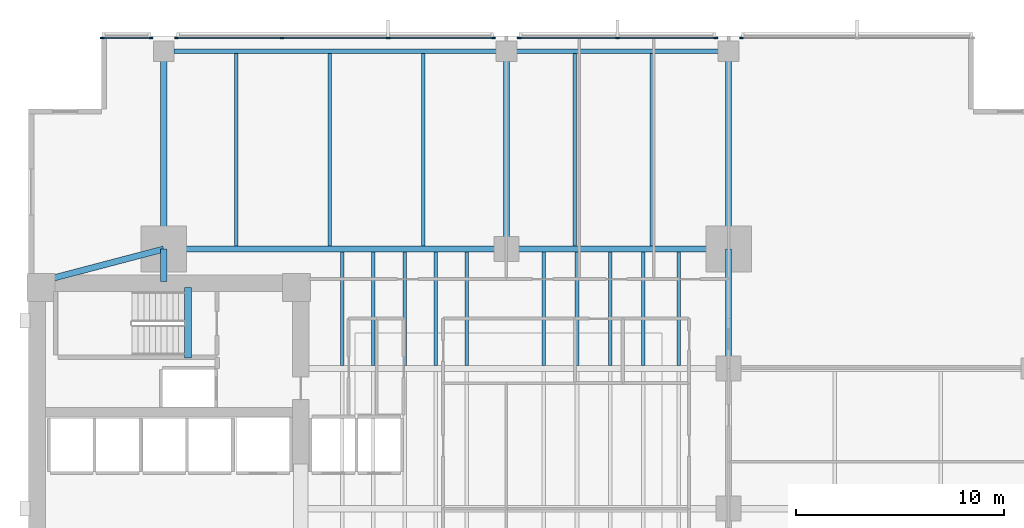
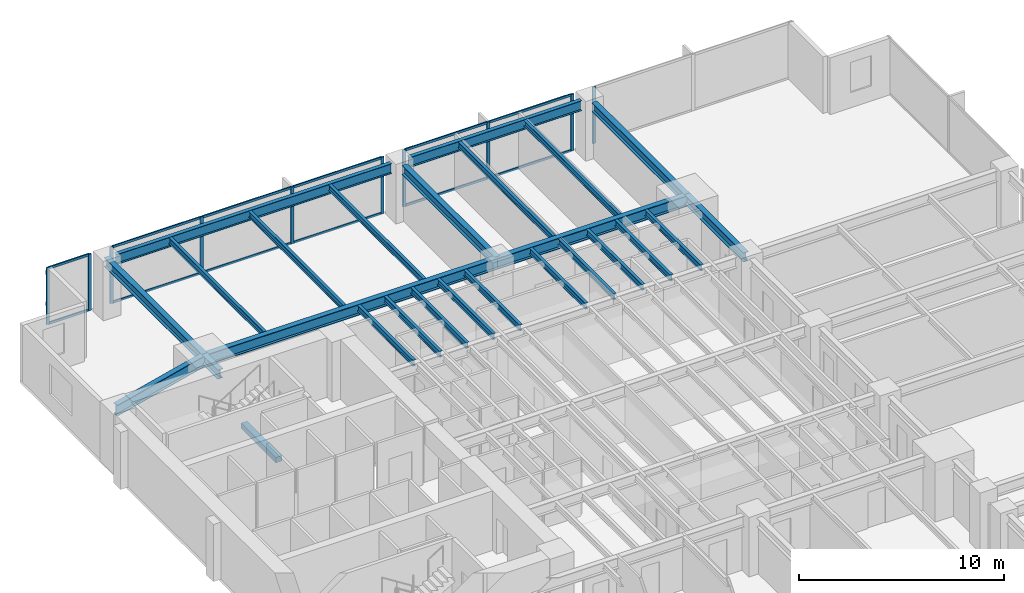
# One storey, part 5 of 15: 26 beams, 22 members, 4 elements without a shape of their own.
"""IFC4 building model written with IfcOpenShell, lengths in metres."""

from ifc_helpers import new_model, si_unit, direction, frame, origin, origin_2d, place, context, subcontext, project, spatial, rectangle, i_section, extrude, material, layer, layer_set, material_profile, profile_set, type_object, element, aggregate, save


model = new_model("IFC4")

# Units and contexts
model_context = context("Model", 3, precision=1e-05, world=origin(), true_north=direction((0.0, 1.0)))
body_context = subcontext(model_context, "Body", "Model", "MODEL_VIEW")
ifc_project = project(units=[si_unit("LENGTHUNIT", "METRE"), si_unit("AREAUNIT", "SQUARE_METRE"), si_unit("VOLUMEUNIT", "CUBIC_METRE"), si_unit("PLANEANGLEUNIT", "RADIAN"), si_unit("MASSUNIT", "GRAM", prefix="KILO")], contexts=[model_context])

# Site, building, storey
site_placement = place(None, origin())
site = spatial("IfcSite", under=ifc_project, at=site_placement, CompositionType="ELEMENT")
building_placement = place(site_placement, origin())
building = spatial("IfcBuilding", under=site, at=building_placement, Name="Kinhvarn Gate Tower", CompositionType="ELEMENT")
storey_placement = place(building_placement, frame((0.0, 0.0, 78.85009765625)))
storey = spatial("IfcBuildingStorey", under=building, at=storey_placement, Name="L20", CompositionType="ELEMENT", Elevation=78.85009765625)

# Beam
ifc_material_1 = material(Name="Concrete C50/60", Category="concrete")
ifc_material_profile_1 = material_profile(ifc_material_1, rectangle(XDim=0.340087890625, YDim=0.320068359375, at=origin_2d()), Name="RC 340x320")
ifc_profile_set_1 = profile_set([ifc_material_profile_1], Name="Concrete C50/60")
beam_type_1 = type_object("IfcBeamType", Name="BM-LND-500", PredefinedType="BEAM", material=ifc_profile_set_1)
beam_1_placement = place(storey_placement, frame((12.1650390625, 32.5, -0.16015625), z_axis=(0.0, 1.0, 0.0), x_axis=(-1.0, 0.0, 0.0)))
element("IfcBeam", 1, at=beam_1_placement, inside=storey, type_object=beam_type_1, Name="Stair ST2 Landing Nosing Beam (L20)", PredefinedType="BEAM", context=body_context, shape_type="SweptSolid", body=[
    extrude(rectangle(XDim=0.340087890625, YDim=0.320068359375, at=origin_2d()), origin(), (0.0, 0.0, 1.0), 3.39990234375),
])

# Curtain wall, member
ifc_material_2 = material(Name="Anodised aluminium AW-6063", Category="aluminium")
ifc_layer = layer(ifc_material_2, 0.179931640625)
ifc_layer_set = layer_set([ifc_layer], Name="Anodised aluminium AW-6063")
curtain_wall_type = type_object("IfcCurtainWallType", Name="CW-SYS-2", PredefinedType="NOTDEFINED", material=ifc_layer_set)
curtain_wall_1_placement = place(storey_placement, origin())
curtain_wall_1 = element("IfcCurtainWall", 2, at=curtain_wall_1_placement, inside=storey, type_object=curtain_wall_type, Name="Curtain Wall CW2 (L20)", PredefinedType="NOTDEFINED")
ifc_material_profile_2 = material_profile(ifc_material_2, rectangle(XDim=0.070068359375, YDim=0.179931640625, at=origin_2d()), Name="ALU 70x180")
ifc_profile_set_2 = profile_set([ifc_material_profile_2], Name="Anodised aluminium AW-6063")
member_type_1 = type_object("IfcMemberType", Name="CW-MUL-180", PredefinedType="MULLION", material=ifc_profile_set_2)
member_1_placement = place(storey_placement, frame((38.81494140625, 47.909912109375, 0.0), z_axis=(0.0, 0.0, 1.0), x_axis=(0.0, -1.0, 0.0)))
member_1 = element("IfcMember", 3, at=member_1_placement, type_object=member_type_1, Name="CW2 mullion 3", PredefinedType="MULLION", context=body_context, shape_type="SweptSolid", body=[
    extrude(rectangle(XDim=0.070068359375, YDim=0.179931640625, at=origin_2d()), origin(), (0.0, 0.0, 1.0), 3.369873046875),
])
aggregate(curtain_wall_1, [member_1])

# Curtain wall, members
curtain_wall_2_placement = place(storey_placement, origin())
curtain_wall_2 = element("IfcCurtainWall", 4, at=curtain_wall_2_placement, inside=storey, type_object=curtain_wall_type, Name="Curtain Wall CW2 (L20)", PredefinedType="NOTDEFINED")
member_2_placement = place(storey_placement, frame((37.5849609375, 47.909912109375, 0.0), z_axis=(0.0, 0.0, 1.0), x_axis=(0.0, -1.0, 0.0)))
member_2 = element("IfcMember", 5, at=member_2_placement, type_object=member_type_1, Name="CW2 mullion 1", PredefinedType="MULLION", context=body_context, shape_type="SweptSolid", body=[
    extrude(rectangle(XDim=0.070068359375, YDim=0.179931640625, at=origin_2d()), origin(), (0.0, 0.0, 1.0), 3.369873046875),
])
member_3_placement = place(storey_placement, frame((32.85009765625, 47.909912109375, 0.0), z_axis=(0.0, 0.0, 1.0), x_axis=(0.0, -1.0, 0.0)))
member_3 = element("IfcMember", 6, at=member_3_placement, type_object=member_type_1, Name="CW2 mullion 2", PredefinedType="MULLION", context=body_context, shape_type="SweptSolid", body=[
    extrude(rectangle(XDim=0.070068359375, YDim=0.179931640625, at=origin_2d()), origin(), (0.0, 0.0, 1.0), 3.369873046875),
])
member_4_placement = place(storey_placement, frame((28.114990234375, 47.909912109375, 0.0), z_axis=(0.0, 0.0, 1.0), x_axis=(0.0, -1.0, 0.0)))
member_4 = element("IfcMember", 7, at=member_4_placement, type_object=member_type_1, Name="CW2 mullion 3", PredefinedType="MULLION", context=body_context, shape_type="SweptSolid", body=[
    extrude(rectangle(XDim=0.070068359375, YDim=0.179931640625, at=origin_2d()), origin(), (0.0, 0.0, 1.0), 3.369873046875),
])

curtain_wall_3_placement = place(storey_placement, origin())
curtain_wall_3 = element("IfcCurtainWall", 8, at=curtain_wall_3_placement, inside=storey, type_object=curtain_wall_type, Name="Curtain Wall CW2 (L20)", PredefinedType="NOTDEFINED")
member_5_placement = place(storey_placement, frame((26.885009765625, 47.909912109375, 0.0), z_axis=(0.0, 0.0, 1.0), x_axis=(0.0, -1.0, 0.0)))
member_5 = element("IfcMember", 9, at=member_5_placement, type_object=member_type_1, Name="CW2 mullion 1", PredefinedType="MULLION", context=body_context, shape_type="SweptSolid", body=[
    extrude(rectangle(XDim=0.070068359375, YDim=0.179931640625, at=origin_2d()), origin(), (0.0, 0.0, 1.0), 3.369873046875),
])
member_6_placement = place(storey_placement, frame((21.806640625, 47.909912109375, 0.0), z_axis=(0.0, 0.0, 1.0), x_axis=(0.0, -1.0, 0.0)))
member_6 = element("IfcMember", 10, at=member_6_placement, type_object=member_type_1, Name="CW2 mullion 2", PredefinedType="MULLION", context=body_context, shape_type="SweptSolid", body=[
    extrude(rectangle(XDim=0.070068359375, YDim=0.179931640625, at=origin_2d()), origin(), (0.0, 0.0, 1.0), 3.369873046875),
])
member_7_placement = place(storey_placement, frame((16.693359375, 47.909912109375, 0.0), z_axis=(0.0, 0.0, 1.0), x_axis=(0.0, -1.0, 0.0)))
member_7 = element("IfcMember", 11, at=member_7_placement, type_object=member_type_1, Name="CW2 mullion 3", PredefinedType="MULLION", context=body_context, shape_type="SweptSolid", body=[
    extrude(rectangle(XDim=0.070068359375, YDim=0.179931640625, at=origin_2d()), origin(), (0.0, 0.0, 1.0), 3.369873046875),
])
member_8_placement = place(storey_placement, frame((11.614990234375, 47.909912109375, 0.0), z_axis=(0.0, 0.0, 1.0), x_axis=(0.0, -1.0, 0.0)))
member_8 = element("IfcMember", 12, at=member_8_placement, type_object=member_type_1, Name="CW2 mullion 4", PredefinedType="MULLION", context=body_context, shape_type="SweptSolid", body=[
    extrude(rectangle(XDim=0.070068359375, YDim=0.179931640625, at=origin_2d()), origin(), (0.0, 0.0, 1.0), 3.369873046875),
])

curtain_wall_4_placement = place(storey_placement, origin())
curtain_wall_4 = element("IfcCurtainWall", 13, at=curtain_wall_4_placement, inside=storey, type_object=curtain_wall_type, Name="Curtain Wall CW2 (L20)", PredefinedType="NOTDEFINED")
member_9_placement = place(storey_placement, frame((10.385009765625, 47.909912109375, 0.0), z_axis=(0.0, 0.0, 1.0), x_axis=(0.0, -1.0, 0.0)))
member_9 = element("IfcMember", 14, at=member_9_placement, type_object=member_type_1, Name="CW2 mullion 1", PredefinedType="MULLION", context=body_context, shape_type="SweptSolid", body=[
    extrude(rectangle(XDim=0.070068359375, YDim=0.179931640625, at=origin_2d()), origin(), (0.0, 0.0, 1.0), 3.369873046875),
])
member_10_placement = place(storey_placement, frame((8.034912109375, 47.909912109375, 0.0), z_axis=(0.0, 0.0, 1.0), x_axis=(0.0, -1.0, 0.0)))
member_10 = element("IfcMember", 15, at=member_10_placement, type_object=member_type_1, Name="CW2 mullion 2", PredefinedType="MULLION", context=body_context, shape_type="SweptSolid", body=[
    extrude(rectangle(XDim=0.070068359375, YDim=0.179931640625, at=origin_2d()), origin(), (0.0, 0.0, 1.0), 3.369873046875),
])

# Member
ifc_material_profile_3 = material_profile(ifc_material_2, rectangle(XDim=0.070068359375, YDim=0.139892578125, at=origin_2d()), Name="ALU 70x140")
ifc_profile_set_3 = profile_set([ifc_material_profile_3], Name="Anodised aluminium AW-6063")
member_type_2 = type_object("IfcMemberType", Name="CW-TRN-140", PredefinedType="USERDEFINED", material=ifc_profile_set_3)
member_11_placement = place(storey_placement, frame((37.550048828125, 47.909912109375, 0.034912109375), z_axis=(-1.0, 0.0, 0.0), x_axis=(0.0, -1.0, 0.0)))
member_11 = element("IfcMember", 16, at=member_11_placement, type_object=member_type_2, Name="CW2 transom 1.1", ObjectType="TRANSOM", PredefinedType="USERDEFINED", context=body_context, shape_type="SweptSolid", body=[
    extrude(rectangle(XDim=0.070068359375, YDim=0.139892578125, at=origin_2d()), origin(), (0.0, 0.0, 1.0), 4.6650390625),
])

member_12_placement = place(storey_placement, frame((37.550048828125, 47.909912109375, 3.3349609375), z_axis=(-1.0, 0.0, 0.0), x_axis=(0.0, -1.0, 0.0)))
member_12 = element("IfcMember", 17, at=member_12_placement, type_object=member_type_2, Name="CW2 transom 1.2", ObjectType="TRANSOM", PredefinedType="USERDEFINED", context=body_context, shape_type="SweptSolid", body=[
    extrude(rectangle(XDim=0.070068359375, YDim=0.139892578125, at=origin_2d()), origin(), (0.0, 0.0, 1.0), 4.6650390625),
])

member_13_placement = place(storey_placement, frame((32.81494140625, 47.909912109375, 0.034912109375), z_axis=(-1.0, 0.0, 0.0), x_axis=(0.0, -1.0, 0.0)))
member_13 = element("IfcMember", 18, at=member_13_placement, type_object=member_type_2, Name="CW2 transom 2.1", ObjectType="TRANSOM", PredefinedType="USERDEFINED", context=body_context, shape_type="SweptSolid", body=[
    extrude(rectangle(XDim=0.070068359375, YDim=0.139892578125, at=origin_2d()), origin(), (0.0, 0.0, 1.0), 4.6650390625),
])

member_14_placement = place(storey_placement, frame((32.81494140625, 47.909912109375, 3.3349609375), z_axis=(-1.0, 0.0, 0.0), x_axis=(0.0, -1.0, 0.0)))
member_14 = element("IfcMember", 19, at=member_14_placement, type_object=member_type_2, Name="CW2 transom 2.2", ObjectType="TRANSOM", PredefinedType="USERDEFINED", context=body_context, shape_type="SweptSolid", body=[
    extrude(rectangle(XDim=0.070068359375, YDim=0.139892578125, at=origin_2d()), origin(), (0.0, 0.0, 1.0), 4.6650390625),
])

aggregate(curtain_wall_2, [member_2, member_3, member_4, member_11, member_12, member_13, member_14])

member_15_placement = place(storey_placement, frame((26.85009765625, 47.909912109375, 0.034912109375), z_axis=(-1.0, 0.0, 0.0), x_axis=(0.0, -1.0, 0.0)))
member_15 = element("IfcMember", 20, at=member_15_placement, type_object=member_type_2, Name="CW2 transom 1.1", ObjectType="TRANSOM", PredefinedType="USERDEFINED", context=body_context, shape_type="SweptSolid", body=[
    extrude(rectangle(XDim=0.070068359375, YDim=0.139892578125, at=origin_2d()), origin(), (0.0, 0.0, 1.0), 5.008544921875),
])

member_16_placement = place(storey_placement, frame((26.85009765625, 47.909912109375, 3.3349609375), z_axis=(-1.0, 0.0, 0.0), x_axis=(0.0, -1.0, 0.0)))
member_16 = element("IfcMember", 21, at=member_16_placement, type_object=member_type_2, Name="CW2 transom 1.2", ObjectType="TRANSOM", PredefinedType="USERDEFINED", context=body_context, shape_type="SweptSolid", body=[
    extrude(rectangle(XDim=0.070068359375, YDim=0.139892578125, at=origin_2d()), origin(), (0.0, 0.0, 1.0), 5.008544921875),
])

member_17_placement = place(storey_placement, frame((21.771728515625, 47.909912109375, 0.034912109375), z_axis=(-1.0, 0.0, 0.0), x_axis=(0.0, -1.0, 0.0)))
member_17 = element("IfcMember", 22, at=member_17_placement, type_object=member_type_2, Name="CW2 transom 2.1", ObjectType="TRANSOM", PredefinedType="USERDEFINED", context=body_context, shape_type="SweptSolid", body=[
    extrude(rectangle(XDim=0.070068359375, YDim=0.139892578125, at=origin_2d()), origin(), (0.0, 0.0, 1.0), 5.04345703125),
])

member_18_placement = place(storey_placement, frame((21.771728515625, 47.909912109375, 3.3349609375), z_axis=(-1.0, 0.0, 0.0), x_axis=(0.0, -1.0, 0.0)))
member_18 = element("IfcMember", 23, at=member_18_placement, type_object=member_type_2, Name="CW2 transom 2.2", ObjectType="TRANSOM", PredefinedType="USERDEFINED", context=body_context, shape_type="SweptSolid", body=[
    extrude(rectangle(XDim=0.070068359375, YDim=0.139892578125, at=origin_2d()), origin(), (0.0, 0.0, 1.0), 5.04345703125),
])

member_19_placement = place(storey_placement, frame((16.658447265625, 47.909912109375, 0.034912109375), z_axis=(-1.0, 0.0, 0.0), x_axis=(0.0, -1.0, 0.0)))
member_19 = element("IfcMember", 24, at=member_19_placement, type_object=member_type_2, Name="CW2 transom 3.1", ObjectType="TRANSOM", PredefinedType="USERDEFINED", context=body_context, shape_type="SweptSolid", body=[
    extrude(rectangle(XDim=0.070068359375, YDim=0.139892578125, at=origin_2d()), origin(), (0.0, 0.0, 1.0), 5.008544921875),
])

member_20_placement = place(storey_placement, frame((16.658447265625, 47.909912109375, 3.3349609375), z_axis=(-1.0, 0.0, 0.0), x_axis=(0.0, -1.0, 0.0)))
member_20 = element("IfcMember", 25, at=member_20_placement, type_object=member_type_2, Name="CW2 transom 3.2", ObjectType="TRANSOM", PredefinedType="USERDEFINED", context=body_context, shape_type="SweptSolid", body=[
    extrude(rectangle(XDim=0.070068359375, YDim=0.139892578125, at=origin_2d()), origin(), (0.0, 0.0, 1.0), 5.008544921875),
])

aggregate(curtain_wall_3, [member_5, member_6, member_7, member_8, member_15, member_16, member_17, member_18, member_19, member_20])

member_21_placement = place(storey_placement, frame((10.35009765625, 47.909912109375, 0.034912109375), z_axis=(-1.0, 0.0, 0.0), x_axis=(0.0, -1.0, 0.0)))
member_21 = element("IfcMember", 26, at=member_21_placement, type_object=member_type_2, Name="CW2 transom 1.1", ObjectType="TRANSOM", PredefinedType="USERDEFINED", context=body_context, shape_type="SweptSolid", body=[
    extrude(rectangle(XDim=0.070068359375, YDim=0.139892578125, at=origin_2d()), origin(), (0.0, 0.0, 1.0), 2.280029296875),
])

member_22_placement = place(storey_placement, frame((10.35009765625, 47.909912109375, 3.3349609375), z_axis=(-1.0, 0.0, 0.0), x_axis=(0.0, -1.0, 0.0)))
member_22 = element("IfcMember", 27, at=member_22_placement, type_object=member_type_2, Name="CW2 transom 1.2", ObjectType="TRANSOM", PredefinedType="USERDEFINED", context=body_context, shape_type="SweptSolid", body=[
    extrude(rectangle(XDim=0.070068359375, YDim=0.139892578125, at=origin_2d()), origin(), (0.0, 0.0, 1.0), 2.280029296875),
])

aggregate(curtain_wall_4, [member_9, member_10, member_21, member_22])

# Beams
ifc_material_3 = material(Name="Steel S355", Category="steel")
ifc_material_profile_4 = material_profile(ifc_material_3, i_section(OverallWidth=0.300048828125, OverallDepth=0.550048828125, WebThickness=0.014892578125, FlangeThickness=0.029052734375, at=origin_2d()), Name="HEB 550")
ifc_profile_set_4 = profile_set([ifc_material_profile_4], Name="Steel S355")
beam_type_2 = type_object("IfcBeamType", Name="STL-HEB550", PredefinedType="BEAM", material=ifc_profile_set_4)
beam_2_placement = place(storey_placement, frame((11.0, 36.199951171875, 3.094970703125), z_axis=(0.0, 1.0, 0.0), x_axis=(-1.0, 0.0, 0.0)))
element("IfcBeam", 28, at=beam_2_placement, inside=storey, type_object=beam_type_2, Name="Floor Beam PG-15 (L20 MCW-CN)", PredefinedType="BEAM", context=body_context, shape_type="SweptSolid", body=[
    extrude(i_section(OverallWidth=0.300048828125, OverallDepth=0.550048828125, WebThickness=0.014892578125, FlangeThickness=0.029052734375, at=origin_2d()), origin(), (0.0, 0.0, 1.0), 1.550048828125),
])
beam_3_placement = place(storey_placement, frame((11.0, 37.75, 3.094970703125), z_axis=(0.0, 1.0, 0.0), x_axis=(-1.0, 0.0, 0.0)))
element("IfcBeam", 29, at=beam_3_placement, inside=storey, type_object=beam_type_2, Name="Floor Beam PG-15 (L20 MCW-N)", PredefinedType="BEAM", context=body_context, shape_type="SweptSolid", body=[
    extrude(i_section(OverallWidth=0.300048828125, OverallDepth=0.550048828125, WebThickness=0.014892578125, FlangeThickness=0.029052734375, at=origin_2d()), origin(), (0.0, 0.0, 1.0), 9.530029296875),
])
for number, where, z_axis, x_axis, name in (
    (30, (27.5, 37.75, 3.094970703125), (0.0, 1.0, 0.0), (-1.0, 0.0, 0.0), "Floor Beam PG-15 (L20 SP27-N-TIE)"),
    (31, (38.199951171875, 37.75, 3.094970703125), (0.0, 1.0, 0.0), (-1.0, 0.0, 0.0), "Floor Beam PG-15 (L20 MCE-N)"),
):
    element("IfcBeam", number, at=place(storey_placement, frame(where, z_axis=z_axis, x_axis=x_axis)), inside=storey, type_object=beam_type_2, Name=name, PredefinedType="BEAM", context=body_context, shape_type="SweptSolid", body=[
        extrude(i_section(OverallWidth=0.300048828125, OverallDepth=0.550048828125, WebThickness=0.014892578125, FlangeThickness=0.029052734375, at=origin_2d()), origin(), (0.0, 0.0, 1.0), 9.044921875),
    ])
beam_4_placement = place(storey_placement, frame((38.199951171875, 32.0, 3.094970703125), z_axis=(0.0, 1.0, 0.0), x_axis=(-1.0, 0.0, 0.0)))
element("IfcBeam", 32, at=beam_4_placement, inside=storey, type_object=beam_type_2, Name="Floor Beam PG-15 (L20 MG-E-32)", PredefinedType="BEAM", context=body_context, shape_type="SweptSolid", body=[
    extrude(i_section(OverallWidth=0.300048828125, OverallDepth=0.550048828125, WebThickness=0.014892578125, FlangeThickness=0.029052734375, at=origin_2d()), origin(), (0.0, 0.0, 1.0), 5.75),
])
ifc_material_profile_5 = material_profile(ifc_material_3, i_section(OverallWidth=0.300048828125, OverallDepth=0.64990234375, WebThickness=0.01611328125, FlangeThickness=0.031005859375, at=origin_2d()), Name="HEB 650")
ifc_profile_set_5 = profile_set([ifc_material_profile_5], Name="Steel S355")
beam_type_3 = type_object("IfcBeamType", Name="STL-HEB650", PredefinedType="BEAM", material=ifc_profile_set_5)
beam_5_placement = place(storey_placement, frame((11.0, 37.75, 3.044921875), z_axis=(1.0, 0.0, 0.0), x_axis=(0.0, 1.0, 0.0)))
element("IfcBeam", 33, at=beam_5_placement, inside=storey, type_object=beam_type_3, Name="Floor Beam PG-17 (L20 MG-N1)", PredefinedType="BEAM", context=body_context, shape_type="SweptSolid", body=[
    extrude(i_section(OverallWidth=0.300048828125, OverallDepth=0.64990234375, WebThickness=0.01611328125, FlangeThickness=0.031005859375, at=origin_2d()), origin(), (0.0, 0.0, 1.0), 16.5),
])
beam_6_placement = place(storey_placement, frame((27.5, 37.75, 3.044921875), z_axis=(1.0, 0.0, 0.0), x_axis=(0.0, 1.0, 0.0)))
element("IfcBeam", 34, at=beam_6_placement, inside=storey, type_object=beam_type_3, Name="Floor Beam PG-17 (L20 MG-N2)", PredefinedType="BEAM", context=body_context, shape_type="SweptSolid", body=[
    extrude(i_section(OverallWidth=0.300048828125, OverallDepth=0.64990234375, WebThickness=0.01611328125, FlangeThickness=0.031005859375, at=origin_2d()), origin(), (0.0, 0.0, 1.0), 10.699951171875),
])
beam_7_placement = place(storey_placement, frame((5.10009765625, 36.199951171875, 3.044921875), z_axis=(0.967177623957, 0.254101246979, 0.0), x_axis=(-0.254101246979, 0.967177623957, 0.0)))
element("IfcBeam", 35, at=beam_7_placement, inside=storey, type_object=beam_type_3, Name="Floor Beam PG-17 (L20 MG-NW-DIAG)", PredefinedType="BEAM", context=body_context, shape_type="SweptSolid", body=[
    extrude(i_section(OverallWidth=0.300048828125, OverallDepth=0.64990234375, WebThickness=0.01611328125, FlangeThickness=0.031005859375, at=origin_2d()), origin(), (0.0, 0.0, 1.0), 6.10009765625),
])
ifc_material_profile_6 = material_profile(ifc_material_3, i_section(OverallWidth=0.169921875, OverallDepth=0.360107421875, WebThickness=0.008056640625, FlangeThickness=0.0126953125, at=origin_2d()), Name="IPE 360")
ifc_profile_set_6 = profile_set([ifc_material_profile_6], Name="Steel S355")
beam_type_4 = type_object("IfcBeamType", Name="STL-IPE360", PredefinedType="JOIST", material=ifc_profile_set_6)
for number, where, z_axis, x_axis, name in (
    (36, (19.60009765625, 32.14990234375, 3.18994140625), (0.0, 1.0, 0.0), (-1.0, 0.0, 0.0), "Floor Joist SB-04 (L20 JC-X196-3)"),
    (37, (21.10009765625, 32.14990234375, 3.18994140625), (0.0, 1.0, 0.0), (-1.0, 0.0, 0.0), "Floor Joist SB-04 (L20 JC-X211-3)"),
    (38, (22.60009765625, 32.14990234375, 3.18994140625), (0.0, 1.0, 0.0), (-1.0, 0.0, 0.0), "Floor Joist SB-04 (L20 JC-X226-3)"),
    (39, (24.10009765625, 32.14990234375, 3.18994140625), (0.0, 1.0, 0.0), (-1.0, 0.0, 0.0), "Floor Joist SB-04 (L20 JC-X241-3)"),
    (40, (25.60009765625, 32.14990234375, 3.18994140625), (0.0, 1.0, 0.0), (-1.0, 0.0, 0.0), "Floor Joist SB-04 (L20 JC-X256-3)"),
    (41, (29.300048828125, 32.14990234375, 3.18994140625), (0.0, 1.0, 0.0), (-1.0, 0.0, 0.0), "Floor Joist SB-04 (L20 JC-X293-3)"),
    (42, (30.89990234375, 32.14990234375, 3.18994140625), (0.0, 1.0, 0.0), (-1.0, 0.0, 0.0), "Floor Joist SB-04 (L20 JC-X309-3)"),
    (43, (32.5, 32.14990234375, 3.18994140625), (0.0, 1.0, 0.0), (-1.0, 0.0, 0.0), "Floor Joist SB-04 (L20 JC-X325-3)"),
    (44, (34.10009765625, 32.14990234375, 3.18994140625), (0.0, 1.0, 0.0), (-1.0, 0.0, 0.0), "Floor Joist SB-04 (L20 JC-X341-3)"),
    (45, (35.800048828125, 32.14990234375, 3.18994140625), (0.0, 1.0, 0.0), (-1.0, 0.0, 0.0), "Floor Joist SB-04 (L20 JC-X358-3)"),
):
    element("IfcBeam", number, at=place(storey_placement, frame(where, z_axis=z_axis, x_axis=x_axis)), inside=storey, type_object=beam_type_4, Name=name, PredefinedType="JOIST", context=body_context, shape_type="SweptSolid", body=[
        extrude(i_section(OverallWidth=0.169921875, OverallDepth=0.360107421875, WebThickness=0.008056640625, FlangeThickness=0.0126953125, at=origin_2d()), origin(), (0.0, 0.0, 1.0), 5.4501953125),
    ])
for number, where, z_axis, x_axis, name in (
    (46, (14.5, 37.89990234375, 3.18994140625), (0.0, 1.0, 0.0), (-1.0, 0.0, 0.0), "Floor Joist SB-04 (L20 JN-X145)"),
    (47, (19.0, 37.89990234375, 3.18994140625), (0.0, 1.0, 0.0), (-1.0, 0.0, 0.0), "Floor Joist SB-04 (L20 JN-X190)"),
    (48, (23.5, 37.89990234375, 3.18994140625), (0.0, 1.0, 0.0), (-1.0, 0.0, 0.0), "Floor Joist SB-04 (L20 JN-X235)"),
    (49, (30.800048828125, 37.89990234375, 3.18994140625), (0.0, 1.0, 0.0), (-1.0, 0.0, 0.0), "Floor Joist SB-04 (L20 JN-X308)"),
    (50, (34.5, 37.89990234375, 3.18994140625), (0.0, 1.0, 0.0), (-1.0, 0.0, 0.0), "Floor Joist SB-04 (L20 JN-X345)"),
):
    element("IfcBeam", number, at=place(storey_placement, frame(where, z_axis=z_axis, x_axis=x_axis)), inside=storey, type_object=beam_type_4, Name=name, PredefinedType="JOIST", context=body_context, shape_type="SweptSolid", body=[
        extrude(i_section(OverallWidth=0.169921875, OverallDepth=0.360107421875, WebThickness=0.008056640625, FlangeThickness=0.0126953125, at=origin_2d()), origin(), (0.0, 0.0, 1.0), 9.27001953125),
    ])
ifc_material_profile_7 = material_profile(ifc_material_3, i_section(OverallWidth=0.219970703125, OverallDepth=0.60009765625, WebThickness=0.011962890625, FlangeThickness=0.01904296875, at=origin_2d()), Name="IPE 600")
ifc_profile_set_7 = profile_set([ifc_material_profile_7], Name="Steel S355")
beam_type_5 = type_object("IfcBeamType", Name="STL-IPE600", PredefinedType="SPANDREL", material=ifc_profile_set_7)
beam_8_placement = place(storey_placement, frame((11.485107421875, 47.280029296875, 3.06982421875), z_axis=(1.0, 0.0, 0.0), x_axis=(0.0, 1.0, 0.0)))
element("IfcBeam", 51, at=beam_8_placement, inside=storey, type_object=beam_type_5, Name="Floor Spandrel SB-09 (L20 SP-N1)", PredefinedType="SPANDREL", context=body_context, shape_type="SweptSolid", body=[
    extrude(i_section(OverallWidth=0.219970703125, OverallDepth=0.60009765625, WebThickness=0.011962890625, FlangeThickness=0.01904296875, at=origin_2d()), origin(), (0.0, 0.0, 1.0), 15.52978515625),
])
beam_9_placement = place(storey_placement, frame((27.985107421875, 47.280029296875, 3.06982421875), z_axis=(1.0, 0.0, 0.0), x_axis=(0.0, 1.0, 0.0)))
element("IfcBeam", 52, at=beam_9_placement, inside=storey, type_object=beam_type_5, Name="Floor Spandrel SB-09 (L20 SP-N2)", PredefinedType="SPANDREL", context=body_context, shape_type="SweptSolid", body=[
    extrude(i_section(OverallWidth=0.219970703125, OverallDepth=0.60009765625, WebThickness=0.011962890625, FlangeThickness=0.01904296875, at=origin_2d()), origin(), (0.0, 0.0, 1.0), 9.72998046875),
])

save(model, "model.ifc")
